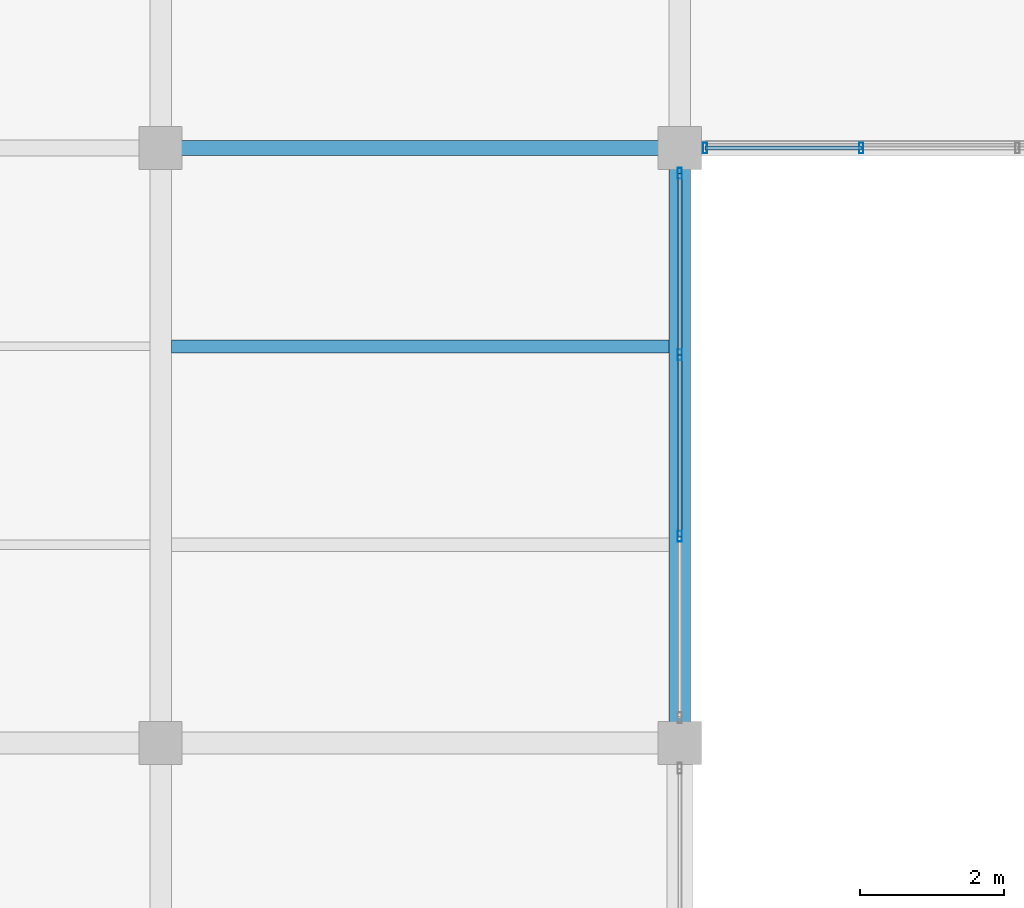
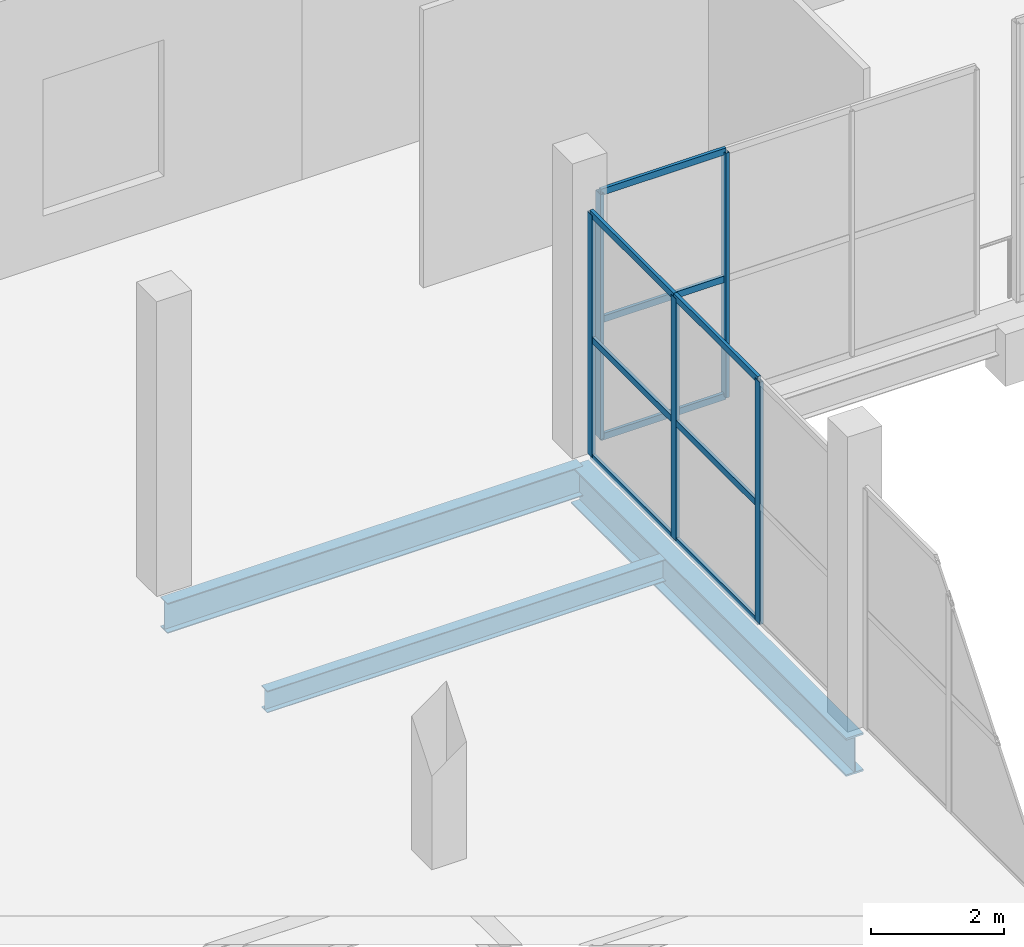
# One storey, part 56 of 141: 14 members, 3 beams, 2 elements without a shape of their own.
"""IFC4 building model written with IfcOpenShell, lengths in metres."""

from ifc_helpers import new_model, si_unit, direction, frame, origin, origin_2d, place, context, subcontext, project, spatial, hollow_rectangle, i_section, extrude, material, layer, layer_set, material_profile, profile_set, type_object, element, aggregate, save


model = new_model("IFC4")

# Units and contexts
model_context = context("Model", 3, precision=1e-05, world=origin(), true_north=direction((0.0, 1.0)))
body_context = subcontext(model_context, "Body", "Model", "MODEL_VIEW")
ifc_project = project(units=[si_unit("LENGTHUNIT", "METRE"), si_unit("AREAUNIT", "SQUARE_METRE"), si_unit("VOLUMEUNIT", "CUBIC_METRE"), si_unit("PLANEANGLEUNIT", "RADIAN"), si_unit("MASSUNIT", "GRAM", prefix="KILO")], contexts=[model_context])

# Site, building, storey
site_placement = place(None, origin())
site = spatial("IfcSite", under=ifc_project, at=site_placement, CompositionType="ELEMENT")
building_placement = place(site_placement, origin())
building = spatial("IfcBuilding", under=site, at=building_placement, Name="Sundgate Opera House", CompositionType="ELEMENT")
storey_placement = place(building_placement, frame((0.0, 0.0, 11.39990234375)))
storey = spatial("IfcBuildingStorey", under=building, at=storey_placement, Name="L02", CompositionType="ELEMENT", Elevation=11.39990234375)

# Beams
ifc_material_1 = material(Name="Steel S355J2", Category="steel")
ifc_material_profile_1 = material_profile(ifc_material_1, i_section(OverallWidth=0.300048828125, OverallDepth=0.699951171875, WebThickness=0.01708984375, FlangeThickness=0.031982421875, at=origin_2d()), Name="HEB 700")
ifc_profile_set_1 = profile_set([ifc_material_profile_1], Name="Steel S355J2")
beam_type_1 = type_object("IfcBeamType", Name="BM-GR-HEB700", PredefinedType="BEAM", material=ifc_profile_set_1)
beam_1_placement = place(storey_placement, frame((124.199951171875, 103.5, -0.699951171875), z_axis=(0.0, 1.0, 0.0), x_axis=(-1.0, 0.0, 0.0)))
element("IfcBeam", 1, at=beam_1_placement, inside=storey, type_object=beam_type_1, Name="L02 Primary N-S Girder B1901", PredefinedType="BEAM", context=body_context, shape_type="SweptSolid", body=[
    extrude(i_section(OverallWidth=0.300048828125, OverallDepth=0.699951171875, WebThickness=0.01708984375, FlangeThickness=0.031982421875, at=origin_2d()), origin(), (0.0, 0.0, 1.0), 8.25),
])
ifc_material_2 = material(Name="Steel S355J2", Category="steel")
ifc_material_profile_2 = material_profile(ifc_material_2, i_section(OverallWidth=0.2099609375, OverallDepth=0.550048828125, WebThickness=0.010986328125, FlangeThickness=0.01708984375, at=origin_2d()), Name="IPE 550")
ifc_profile_set_2 = profile_set([ifc_material_profile_2], Name="Steel S355J2")
beam_type_2 = type_object("IfcBeamType", Name="BM-GR-IPE550", PredefinedType="BEAM", material=ifc_profile_set_2)
beam_2_placement = place(storey_placement, frame((117.0, 111.75, -0.625), z_axis=(1.0, 0.0, 0.0), x_axis=(0.0, 1.0, 0.0)))
element("IfcBeam", 2, at=beam_2_placement, inside=storey, type_object=beam_type_2, Name="L02 Primary E-W Girder B2106", PredefinedType="BEAM", context=body_context, shape_type="SweptSolid", body=[
    extrude(i_section(OverallWidth=0.2099609375, OverallDepth=0.550048828125, WebThickness=0.010986328125, FlangeThickness=0.01708984375, at=origin_2d()), origin(), (0.0, 0.0, 1.0), 7.199951171875),
])
ifc_material_3 = material(Name="Steel S355J2", Category="steel")
ifc_material_profile_3 = material_profile(ifc_material_3, i_section(OverallWidth=0.179931640625, OverallDepth=0.39990234375, WebThickness=0.008544921875, FlangeThickness=0.013427734375, at=origin_2d()), Name="IPE 400")
ifc_profile_set_3 = profile_set([ifc_material_profile_3], Name="Steel S355J2")
beam_type_3 = type_object("IfcBeamType", Name="BM-JS-IPE400", PredefinedType="JOIST", material=ifc_profile_set_3)
beam_3_placement = place(storey_placement, frame((117.14990234375, 109.0, -0.5498046875), z_axis=(1.0, 0.0, 0.0), x_axis=(0.0, 1.0, 0.0)))
element("IfcBeam", 3, at=beam_3_placement, inside=storey, type_object=beam_type_3, Name="L02 Secondary Floor Joist B2410", PredefinedType="JOIST", context=body_context, shape_type="SweptSolid", body=[
    extrude(i_section(OverallWidth=0.179931640625, OverallDepth=0.39990234375, WebThickness=0.008544921875, FlangeThickness=0.013427734375, at=origin_2d()), origin(), (0.0, 0.0, 1.0), 6.900146484375),
])

# Curtain wall, members
ifc_material_4 = material(Name="Anodized aluminium and low-iron glass", Category="aluminium")
ifc_layer = layer(ifc_material_4, 0.159912109375)
ifc_layer_set = layer_set([ifc_layer], Name="Anodized aluminium and low-iron glass")
curtain_wall_type = type_object("IfcCurtainWallType", Name="CW-STUDIO-DARK", PredefinedType="NOTDEFINED", material=ifc_layer_set)
curtain_wall_1_placement = place(storey_placement, origin())
curtain_wall_1 = element("IfcCurtainWall", 4, at=curtain_wall_1_placement, inside=storey, type_object=curtain_wall_type, Name="L02 Curtain Wall CW109", PredefinedType="NOTDEFINED")
ifc_material_5 = material(Name="Anodized aluminium EN AW-6063", Category="aluminium")
ifc_material_profile_4 = material_profile(ifc_material_5, hollow_rectangle(XDim=0.06005859375, YDim=0.14990234375, WallThickness=0.00390625, at=origin_2d()), Name="CWM 150x60x4")
ifc_profile_set_4 = profile_set([ifc_material_profile_4], Name="Anodized aluminium EN AW-6063")
member_type_1 = type_object("IfcMemberType", Name="CWM-ALU-150x60", PredefinedType="MULLION", material=ifc_profile_set_4)
member_1_placement = place(storey_placement, frame((126.716552734375, 111.75, 0.0), z_axis=(0.0, 0.0, 1.0), x_axis=(1.0, 0.0, 0.0)))
member_1 = element("IfcMember", 5, at=member_1_placement, type_object=member_type_1, Name="CW109 Mullion 3", PredefinedType="MULLION", context=body_context, shape_type="SweptSolid", body=[
    extrude(hollow_rectangle(XDim=0.06005859375, YDim=0.14990234375, WallThickness=0.00390625, at=origin_2d()), origin(), (0.0, 0.0, 1.0), 4.485107421875),
])
member_2_placement = place(storey_placement, frame((124.550048828125, 111.75, 0.0), z_axis=(0.0, 0.0, 1.0), x_axis=(1.0, 0.0, 0.0)))
member_2 = element("IfcMember", 6, at=member_2_placement, type_object=member_type_1, Name="CW109 Mullion 4", PredefinedType="MULLION", context=body_context, shape_type="SweptSolid", body=[
    extrude(hollow_rectangle(XDim=0.06005859375, YDim=0.14990234375, WallThickness=0.00390625, at=origin_2d()), origin(), (0.0, 0.0, 1.0), 4.485107421875),
])

curtain_wall_2_placement = place(storey_placement, origin())
curtain_wall_2 = element("IfcCurtainWall", 7, at=curtain_wall_2_placement, inside=storey, type_object=curtain_wall_type, Name="L02 Curtain Wall CW120", PredefinedType="NOTDEFINED")
member_3_placement = place(storey_placement, frame((124.199951171875, 106.36669921875, 0.0), z_axis=(0.0, 0.0, 1.0), x_axis=(1.0, 0.0, 0.0)))
member_3 = element("IfcMember", 8, at=member_3_placement, type_object=member_type_1, Name="CW120 Mullion 2", PredefinedType="MULLION", context=body_context, shape_type="SweptSolid", body=[
    extrude(hollow_rectangle(XDim=0.06005859375, YDim=0.14990234375, WallThickness=0.00390625, at=origin_2d()), origin(), (0.0, 0.0, 1.0), 4.43505859375),
])
member_4_placement = place(storey_placement, frame((124.199951171875, 108.88330078125, 0.0), z_axis=(0.0, 0.0, 1.0), x_axis=(1.0, 0.0, 0.0)))
member_4 = element("IfcMember", 9, at=member_4_placement, type_object=member_type_1, Name="CW120 Mullion 3", PredefinedType="MULLION", context=body_context, shape_type="SweptSolid", body=[
    extrude(hollow_rectangle(XDim=0.06005859375, YDim=0.14990234375, WallThickness=0.00390625, at=origin_2d()), origin(), (0.0, 0.0, 1.0), 4.43505859375),
])
member_5_placement = place(storey_placement, frame((124.199951171875, 111.39990234375, 0.0), z_axis=(0.0, 0.0, 1.0), x_axis=(1.0, 0.0, 0.0)))
member_5 = element("IfcMember", 10, at=member_5_placement, type_object=member_type_1, Name="CW120 Mullion 4", PredefinedType="MULLION", context=body_context, shape_type="SweptSolid", body=[
    extrude(hollow_rectangle(XDim=0.06005859375, YDim=0.14990234375, WallThickness=0.00390625, at=origin_2d()), origin(), (0.0, 0.0, 1.0), 4.43505859375),
])

# Member
ifc_material_6 = material(Name="Anodized aluminium EN AW-6063", Category="aluminium")
ifc_material_profile_5 = material_profile(ifc_material_6, hollow_rectangle(XDim=0.054931640625, YDim=0.1201171875, WallThickness=0.00390625, at=origin_2d()), Name="CWT 120x55x4")
ifc_profile_set_5 = profile_set([ifc_material_profile_5], Name="Anodized aluminium EN AW-6063")
member_type_2 = type_object("IfcMemberType", Name="CWT-ALU-120x55", PredefinedType="USERDEFINED", material=ifc_profile_set_5)
member_6_placement = place(storey_placement, frame((126.716552734375, 111.75, 0.0), z_axis=(-1.0, 0.0, 0.0), x_axis=(0.0, -1.0, 0.0)))
member_6 = element("IfcMember", 11, at=member_6_placement, type_object=member_type_2, Name="CW109 Transom 7", ObjectType="TRANSOM", PredefinedType="USERDEFINED", context=body_context, shape_type="SweptSolid", body=[
    extrude(hollow_rectangle(XDim=0.054931640625, YDim=0.1201171875, WallThickness=0.00390625, at=origin_2d()), origin(), (0.0, 0.0, 1.0), 2.16650390625),
])

member_7_placement = place(storey_placement, frame((126.716552734375, 111.75, 2.150146484375), z_axis=(-1.0, 0.0, 0.0), x_axis=(0.0, -1.0, 0.0)))
member_7 = element("IfcMember", 12, at=member_7_placement, type_object=member_type_2, Name="CW109 Transom 8", ObjectType="TRANSOM", PredefinedType="USERDEFINED", context=body_context, shape_type="SweptSolid", body=[
    extrude(hollow_rectangle(XDim=0.054931640625, YDim=0.1201171875, WallThickness=0.00390625, at=origin_2d()), origin(), (0.0, 0.0, 1.0), 2.16650390625),
])

member_8_placement = place(storey_placement, frame((126.716552734375, 111.75, 4.485107421875), z_axis=(-1.0, 0.0, 0.0), x_axis=(0.0, -1.0, 0.0)))
member_8 = element("IfcMember", 13, at=member_8_placement, type_object=member_type_2, Name="CW109 Transom 9", ObjectType="TRANSOM", PredefinedType="USERDEFINED", context=body_context, shape_type="SweptSolid", body=[
    extrude(hollow_rectangle(XDim=0.054931640625, YDim=0.1201171875, WallThickness=0.00390625, at=origin_2d()), origin(), (0.0, 0.0, 1.0), 2.16650390625),
])

aggregate(curtain_wall_1, [member_1, member_2, member_6, member_7, member_8])

member_9_placement = place(storey_placement, frame((124.199951171875, 106.36669921875, 0.0), z_axis=(0.0, 1.0, 0.0), x_axis=(-1.0, 0.0, 0.0)))
member_9 = element("IfcMember", 14, at=member_9_placement, type_object=member_type_2, Name="CW120 Transom 4", ObjectType="TRANSOM", PredefinedType="USERDEFINED", context=body_context, shape_type="SweptSolid", body=[
    extrude(hollow_rectangle(XDim=0.054931640625, YDim=0.1201171875, WallThickness=0.00390625, at=origin_2d()), origin(), (0.0, 0.0, 1.0), 2.5166015625),
])

member_10_placement = place(storey_placement, frame((124.199951171875, 106.36669921875, 2.150146484375), z_axis=(0.0, 1.0, 0.0), x_axis=(-1.0, 0.0, 0.0)))
member_10 = element("IfcMember", 15, at=member_10_placement, type_object=member_type_2, Name="CW120 Transom 5", ObjectType="TRANSOM", PredefinedType="USERDEFINED", context=body_context, shape_type="SweptSolid", body=[
    extrude(hollow_rectangle(XDim=0.054931640625, YDim=0.1201171875, WallThickness=0.00390625, at=origin_2d()), origin(), (0.0, 0.0, 1.0), 2.5166015625),
])

member_11_placement = place(storey_placement, frame((124.199951171875, 106.36669921875, 4.43505859375), z_axis=(0.0, 1.0, 0.0), x_axis=(-1.0, 0.0, 0.0)))
member_11 = element("IfcMember", 16, at=member_11_placement, type_object=member_type_2, Name="CW120 Transom 6", ObjectType="TRANSOM", PredefinedType="USERDEFINED", context=body_context, shape_type="SweptSolid", body=[
    extrude(hollow_rectangle(XDim=0.054931640625, YDim=0.1201171875, WallThickness=0.00390625, at=origin_2d()), origin(), (0.0, 0.0, 1.0), 2.5166015625),
])

member_12_placement = place(storey_placement, frame((124.199951171875, 108.88330078125, 0.0), z_axis=(0.0, 1.0, 0.0), x_axis=(-1.0, 0.0, 0.0)))
member_12 = element("IfcMember", 17, at=member_12_placement, type_object=member_type_2, Name="CW120 Transom 7", ObjectType="TRANSOM", PredefinedType="USERDEFINED", context=body_context, shape_type="SweptSolid", body=[
    extrude(hollow_rectangle(XDim=0.054931640625, YDim=0.1201171875, WallThickness=0.00390625, at=origin_2d()), origin(), (0.0, 0.0, 1.0), 2.5166015625),
])

member_13_placement = place(storey_placement, frame((124.199951171875, 108.88330078125, 2.150146484375), z_axis=(0.0, 1.0, 0.0), x_axis=(-1.0, 0.0, 0.0)))
member_13 = element("IfcMember", 18, at=member_13_placement, type_object=member_type_2, Name="CW120 Transom 8", ObjectType="TRANSOM", PredefinedType="USERDEFINED", context=body_context, shape_type="SweptSolid", body=[
    extrude(hollow_rectangle(XDim=0.054931640625, YDim=0.1201171875, WallThickness=0.00390625, at=origin_2d()), origin(), (0.0, 0.0, 1.0), 2.5166015625),
])

member_14_placement = place(storey_placement, frame((124.199951171875, 108.88330078125, 4.43505859375), z_axis=(0.0, 1.0, 0.0), x_axis=(-1.0, 0.0, 0.0)))
member_14 = element("IfcMember", 19, at=member_14_placement, type_object=member_type_2, Name="CW120 Transom 9", ObjectType="TRANSOM", PredefinedType="USERDEFINED", context=body_context, shape_type="SweptSolid", body=[
    extrude(hollow_rectangle(XDim=0.054931640625, YDim=0.1201171875, WallThickness=0.00390625, at=origin_2d()), origin(), (0.0, 0.0, 1.0), 2.5166015625),
])

aggregate(curtain_wall_2, [member_3, member_4, member_5, member_9, member_10, member_11, member_12, member_13, member_14])

save(model, "model.ifc")
